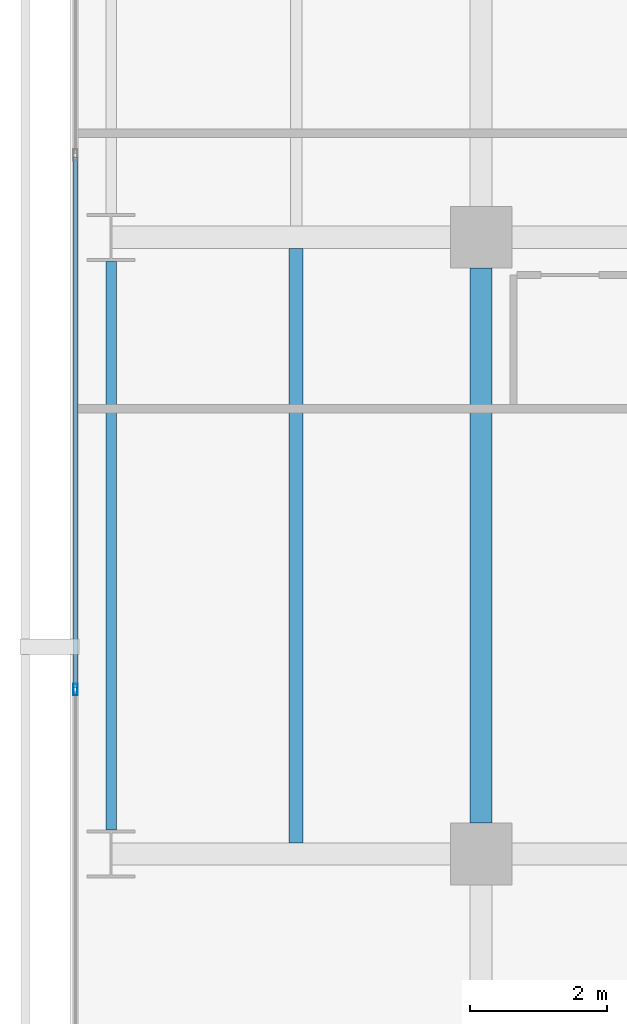
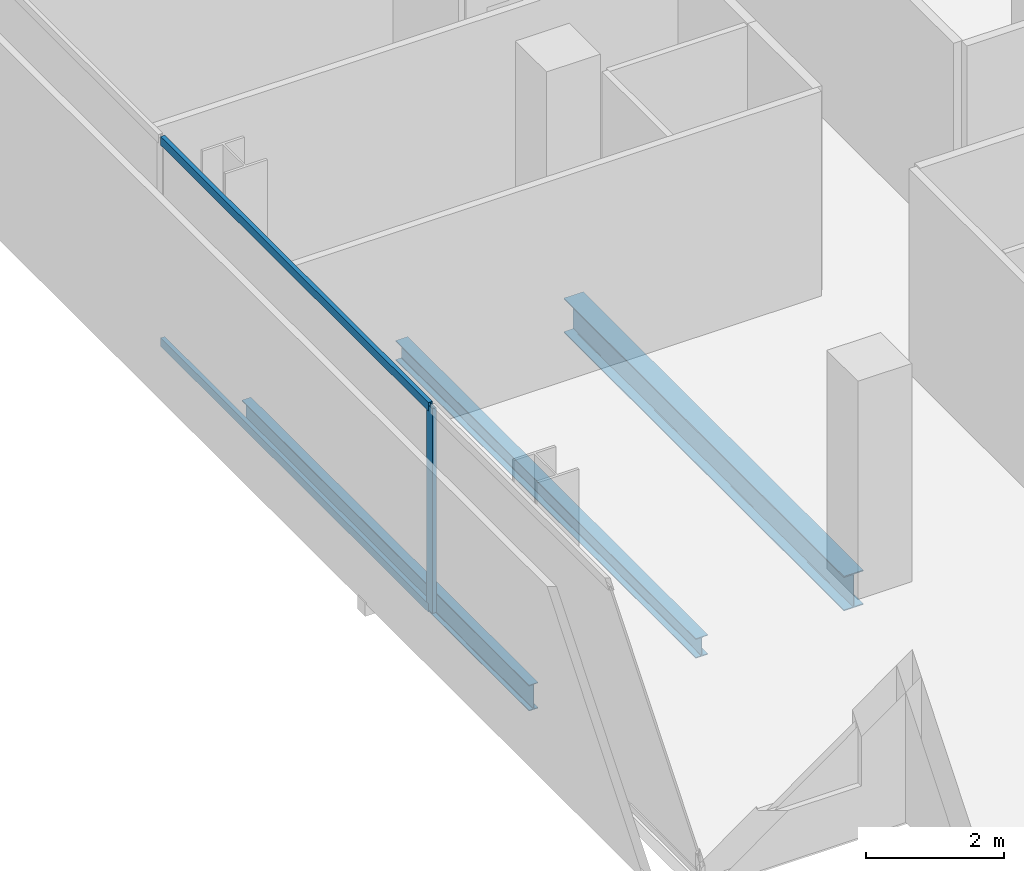
# One storey, part 5 of 41: 3 beams, 3 members, 1 element without a shape of its own.
"""IFC4 building model written with IfcOpenShell, lengths in metres."""

from ifc_helpers import new_model, si_unit, direction, frame, origin, origin_2d, place, context, subcontext, project, spatial, hollow_rectangle, i_section, extrude, material, layer, layer_set, material_profile, profile_set, type_object, element, aggregate, save


model = new_model("IFC4")

# Units and contexts
model_context = context("Model", 3, precision=1e-05, world=origin(), true_north=direction((0.0, 1.0)))
body_context = subcontext(model_context, "Body", "Model", "MODEL_VIEW")
ifc_project = project(units=[si_unit("LENGTHUNIT", "METRE"), si_unit("AREAUNIT", "SQUARE_METRE"), si_unit("VOLUMEUNIT", "CUBIC_METRE"), si_unit("PLANEANGLEUNIT", "RADIAN"), si_unit("MASSUNIT", "GRAM", prefix="KILO")], contexts=[model_context])

# Site, building, storey
site_placement = place(None, origin())
site = spatial("IfcSite", under=ifc_project, at=site_placement, CompositionType="ELEMENT")
building_placement = place(site_placement, origin())
building = spatial("IfcBuilding", under=site, at=building_placement, Name="Maruvema Waterfront Hotel and Observation Tower", CompositionType="ELEMENT")
storey_placement = place(building_placement, frame((0.0, 0.0, 84.699951171875)))
storey = spatial("IfcBuildingStorey", under=building, at=storey_placement, Name="L20", CompositionType="ELEMENT", Elevation=84.699951171875)

# Curtain wall, members
ifc_material_1 = material(Name="Anodised bronze aluminium and solar-control low-E IGU", Category="aluminium")
ifc_layer = layer(ifc_material_1, 0.159912109375, Name="Zone 1 Bronze Inner Thermal Curtain Wall System CW-02")
ifc_layer_set = layer_set([ifc_layer], Name="Anodised bronze aluminium and solar-control low-E IGU")
curtain_wall_type = type_object("IfcCurtainWallType", Name="Zone 1 Bronze Inner Thermal Curtain Wall System CW-02", PredefinedType="USERDEFINED", material=ifc_layer_set)
curtain_wall_placement = place(storey_placement, origin())
curtain_wall = element("IfcCurtainWall", 1, at=curtain_wall_placement, inside=storey, type_object=curtain_wall_type, Name="L20 Curtain Wall CW-L20-W", ObjectType="UNITISED CURTAIN WALL", PredefinedType="USERDEFINED")
ifc_material_2 = material(Name="Anodised architectural bronze aluminium", Category="aluminium")
ifc_material_profile_1 = material_profile(ifc_material_2, hollow_rectangle(XDim=0.070068359375, YDim=0.14990234375, WallThickness=0.00390625, at=origin_2d()), Name="ALU-T70x150")
ifc_profile_set_1 = profile_set([ifc_material_profile_1], Name="Anodised architectural bronze aluminium")
member_type_1 = type_object("IfcMemberType", Name="Curtain Wall Horizontal Transom ALU-T70x150", PredefinedType="USERDEFINED", material=ifc_profile_set_1)
member_1_placement = place(storey_placement, frame((10.8798828125, 19.169921875, 0.030029296875), z_axis=(0.0, -1.0, 0.0), x_axis=(1.0, 0.0, 0.0)))
member_1 = element("IfcMember", 2, at=member_1_placement, type_object=member_type_1, Name="CW-02 transom 5.1", ObjectType="TRANSOM", PredefinedType="USERDEFINED", context=body_context, shape_type="SweptSolid", body=[
    extrude(hollow_rectangle(XDim=0.070068359375, YDim=0.14990234375, WallThickness=0.00390625, at=origin_2d()), origin(), (0.0, 0.0, 1.0), 7.739990234375),
])
member_2_placement = place(storey_placement, frame((10.8798828125, 19.169921875, 3.580078125), z_axis=(0.0, -1.0, 0.0), x_axis=(1.0, 0.0, 0.0)))
member_2 = element("IfcMember", 3, at=member_2_placement, type_object=member_type_1, Name="CW-02 transom 5.2", ObjectType="TRANSOM", PredefinedType="USERDEFINED", context=body_context, shape_type="SweptSolid", body=[
    extrude(hollow_rectangle(XDim=0.070068359375, YDim=0.14990234375, WallThickness=0.00390625, at=origin_2d()), origin(), (0.0, 0.0, 1.0), 7.739990234375),
])
ifc_material_3 = material(Name="Anodised architectural bronze aluminium", Category="aluminium")
ifc_material_profile_2 = material_profile(ifc_material_3, hollow_rectangle(XDim=0.06494140625, YDim=0.1650390625, WallThickness=0.00390625, at=origin_2d()), Name="ALU-M65x165")
ifc_profile_set_2 = profile_set([ifc_material_profile_2], Name="Anodised architectural bronze aluminium")
member_type_2 = type_object("IfcMemberType", Name="Curtain Wall Primary Mullion ALU-M65x165", PredefinedType="MULLION", material=ifc_profile_set_2)
member_3_placement = place(storey_placement, frame((10.8798828125, 11.39990234375, 0.0), z_axis=(0.0, 0.0, 1.0), x_axis=(1.0, 0.0, 0.0)))
member_3 = element("IfcMember", 4, at=member_3_placement, type_object=member_type_2, Name="CW-02 mullion 6", PredefinedType="MULLION", context=body_context, shape_type="SweptSolid", body=[
    extrude(hollow_rectangle(XDim=0.06494140625, YDim=0.1650390625, WallThickness=0.00390625, at=origin_2d()), origin(), (0.0, 0.0, 1.0), 3.610107421875),
])
aggregate(curtain_wall, [member_3, member_1, member_2])

# Beams
ifc_material_4 = material(Name="Steel ASTM A572 Grade 50", Category="steel")
ifc_material_profile_3 = material_profile(ifc_material_4, i_section(OverallWidth=0.153076171875, OverallDepth=0.455078125, WebThickness=0.008056640625, FlangeThickness=0.01318359375, FilletRadius=0.014892578125, at=origin_2d()), Name="W460x60.0")
ifc_profile_set_3 = profile_set([ifc_material_profile_3], Name="Steel ASTM A572 Grade 50")
beam_type_1 = type_object("IfcBeamType", Name="Perimeter Spandrel Beam W460x60.0", PredefinedType="SPANDREL", material=ifc_profile_set_3)
beam_1_placement = place(storey_placement, frame((11.39990234375, 9.35009765625, -0.467529296875), z_axis=(0.0, 1.0, 0.0), x_axis=(-1.0, 0.0, 0.0)))
element("IfcBeam", 5, at=beam_1_placement, inside=storey, type_object=beam_type_1, Name="L20 Floor Girder NS-01", PredefinedType="SPANDREL", context=body_context, shape_type="SweptSolid", body=[
    extrude(i_section(OverallWidth=0.153076171875, OverallDepth=0.455078125, WebThickness=0.008056640625, FlangeThickness=0.01318359375, FilletRadius=0.014892578125, at=origin_2d()), origin(), (0.0, 0.0, 1.0), 8.2998046875),
])
ifc_material_5 = material(Name="Steel ASTM A572 Grade 50", Category="steel")
ifc_material_profile_4 = material_profile(ifc_material_5, i_section(OverallWidth=0.323974609375, OverallDepth=0.611083984375, WebThickness=0.0126953125, FlangeThickness=0.01904296875, FilletRadius=0.01806640625, at=origin_2d()), Name="W610x155.0")
ifc_profile_set_4 = profile_set([ifc_material_profile_4], Name="Steel ASTM A572 Grade 50")
beam_type_2 = type_object("IfcBeamType", Name="Primary Floor Girder W610x155.0", PredefinedType="BEAM", material=ifc_profile_set_4)
beam_2_placement = place(storey_placement, frame((16.800048828125, 9.449951171875, -0.54541015625), z_axis=(0.0, 1.0, 0.0), x_axis=(-1.0, 0.0, 0.0)))
element("IfcBeam", 6, at=beam_2_placement, inside=storey, type_object=beam_type_2, Name="L20 Floor Girder NS-06", PredefinedType="BEAM", context=body_context, shape_type="SweptSolid", body=[
    extrude(i_section(OverallWidth=0.323974609375, OverallDepth=0.611083984375, WebThickness=0.0126953125, FlangeThickness=0.01904296875, FilletRadius=0.01806640625, at=origin_2d()), origin(), (0.0, 0.0, 1.0), 8.10009765625),
])
ifc_material_6 = material(Name="Steel ASTM A572 Grade 50", Category="steel")
ifc_material_profile_5 = material_profile(ifc_material_6, i_section(OverallWidth=0.202880859375, OverallDepth=0.346923828125, WebThickness=0.0078125, FlangeThickness=0.013427734375, FilletRadius=0.014892578125, at=origin_2d()), Name="W360x64.0")
ifc_profile_set_5 = profile_set([ifc_material_profile_5], Name="Steel ASTM A572 Grade 50")
beam_type_3 = type_object("IfcBeamType", Name="Secondary Floor Joist W360x64.0", PredefinedType="JOIST", material=ifc_profile_set_5)
beam_3_placement = place(storey_placement, frame((14.10009765625, 9.162109375, -0.413330078125), z_axis=(0.0, 1.0, 0.0), x_axis=(-1.0, 0.0, 0.0)))
element("IfcBeam", 7, at=beam_3_placement, inside=storey, type_object=beam_type_3, Name="L20 Secondary Floor Joist JS-01", PredefinedType="JOIST", context=body_context, shape_type="SweptSolid", body=[
    extrude(i_section(OverallWidth=0.202880859375, OverallDepth=0.346923828125, WebThickness=0.0078125, FlangeThickness=0.013427734375, FilletRadius=0.014892578125, at=origin_2d()), origin(), (0.0, 0.0, 1.0), 8.67578125),
])

save(model, "model.ifc")
